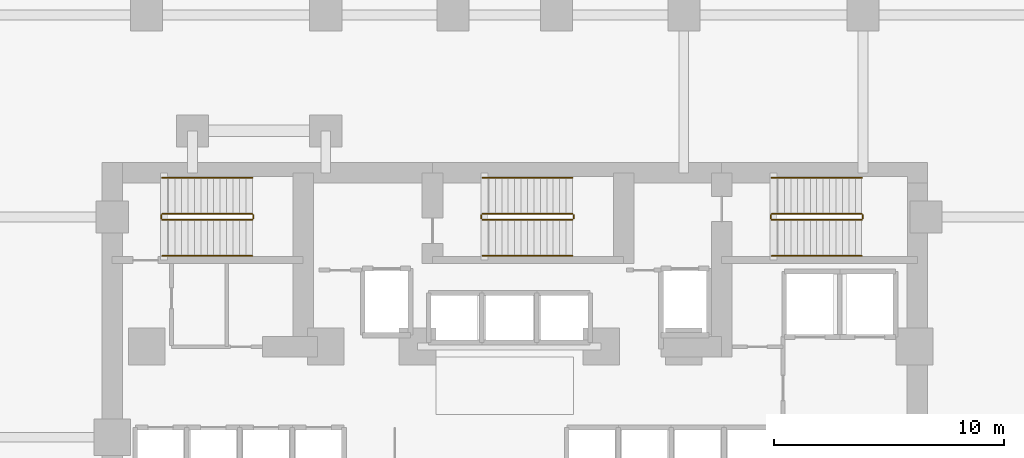
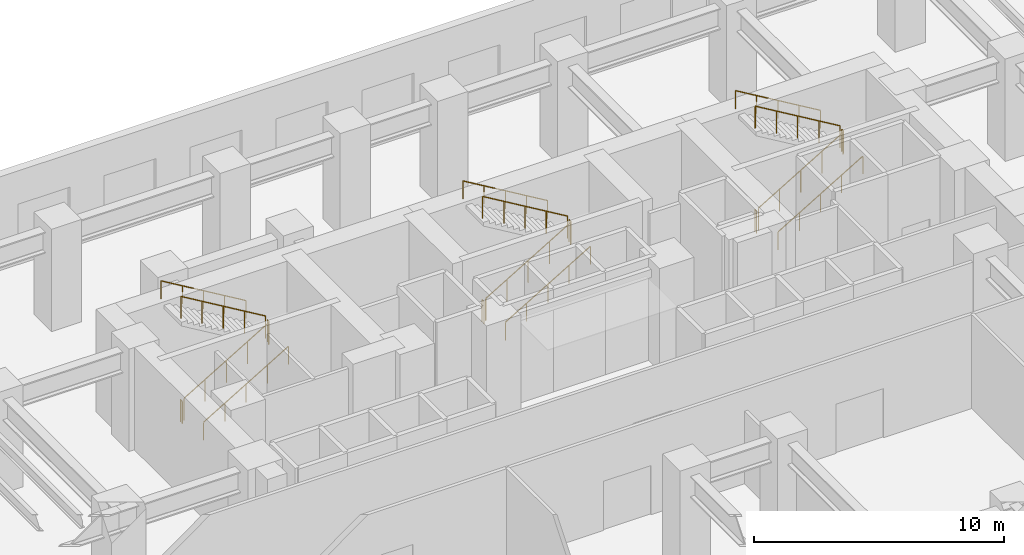
# One storey, part 20 of 20: 18 railings.
"""IFC4 building model written with IfcOpenShell, lengths in metres."""

from ifc_helpers import new_model, si_unit, direction, frame, origin, origin_2d, place, context, subcontext, project, spatial, circle, extrude, material, type_object, element, save


model = new_model("IFC4")

# Units and contexts
model_context = context("Model", 3, precision=1e-05, world=origin(), true_north=direction((0.0, 1.0)))
body_context = subcontext(model_context, "Body", "Model", "MODEL_VIEW")
ifc_project = project(units=[si_unit("LENGTHUNIT", "METRE"), si_unit("AREAUNIT", "SQUARE_METRE"), si_unit("VOLUMEUNIT", "CUBIC_METRE"), si_unit("PLANEANGLEUNIT", "RADIAN"), si_unit("MASSUNIT", "GRAM", prefix="KILO")], contexts=[model_context])

# Site, building, storey
site_placement = place(None, origin())
site = spatial("IfcSite", under=ifc_project, at=site_placement, CompositionType="ELEMENT")
building_placement = place(site_placement, origin())
building = spatial("IfcBuilding", under=site, at=building_placement, Name="Kestravale Grand Hotel", CompositionType="ELEMENT")
storey_placement = place(building_placement, frame((0.0, 0.0, 15.800048828125)))
storey = spatial("IfcBuildingStorey", under=building, at=storey_placement, Name="L03", CompositionType="ELEMENT", Elevation=15.800048828125)

# Railings
ifc_material_1 = material(Name="Painted tubular steel stair well guard", Category="steel")
railing_type_1 = type_object("IfcRailingType", Name="RL-ST-GRD1100", PredefinedType="GUARDRAIL", material=ifc_material_1)
railing_1_placement = place(storey_placement, frame((24.080078125, 38.280029296875, 0.16650390625)))
element("IfcRailing", 1, at=railing_1_placement, inside=storey, type_object=railing_type_1, Name="L03 ST-1 stair guard 1", PredefinedType="GUARDRAIL", context=body_context, shape_type="SweptSolid", body=[
    extrude(circle(Radius=0.02392578125, at=origin_2d()), frame((0.0, 0.0, 1.076171875), z_axis=(0.859272722373, 0.0, 0.511517730471), x_axis=(0.0, 1.0, 0.0)), (0.0, 0.0, 1.0), 4.56201171875),
    extrude(circle(Radius=0.02099609375, at=origin_2d()), origin(), (0.0, 0.0, 1.0), 1.052001953125),
    extrude(circle(Radius=0.02099609375, at=origin_2d()), frame((0.97998046875, 0.0, 0.58349609375)), (0.0, 0.0, 1.0), 1.052001953125),
    extrude(circle(Radius=0.02099609375, at=origin_2d()), frame((1.9599609375, 0.0, 1.166748046875)), (0.0, 0.0, 1.0), 1.052001953125),
    extrude(circle(Radius=0.02099609375, at=origin_2d()), frame((2.93994140625, 0.0, 1.75)), (0.0, 0.0, 1.0), 1.052001953125),
    extrude(circle(Radius=0.02099609375, at=origin_2d()), frame((3.919921875, 0.0, 2.33349609375)), (0.0, 0.0, 1.0), 1.052001953125),
])
railing_2_placement = place(storey_placement, frame((28.050048828125, 38.330078125, 2.5)))
element("IfcRailing", 2, at=railing_2_placement, inside=storey, type_object=railing_type_1, Name="L03 ST-1 stair guard 2", PredefinedType="GUARDRAIL", context=body_context, shape_type="SweptSolid", body=[
    extrude(circle(Radius=0.02392578125, at=origin_2d()), frame((0.0, 0.0, 1.076171875), z_axis=(0.0, 1.0, 0.0), x_axis=(-1.0, 0.0, 0.0)), (0.0, 0.0, 1.0), 0.14990234375),
    extrude(circle(Radius=0.02099609375, at=origin_2d()), origin(), (0.0, 0.0, 1.0), 1.052001953125),
    extrude(circle(Radius=0.02099609375, at=origin_2d()), frame((0.0, 0.14990234375, 0.0)), (0.0, 0.0, 1.0), 1.052001953125),
])
railing_3_placement = place(storey_placement, frame((28.0, 38.530029296875, 2.66650390625)))
element("IfcRailing", 3, at=railing_3_placement, inside=storey, type_object=railing_type_1, Name="L03 ST-1 stair guard 3", PredefinedType="GUARDRAIL", context=body_context, shape_type="SweptSolid", body=[
    extrude(circle(Radius=0.02392578125, at=origin_2d()), frame((0.0, 0.0, 1.076171875), z_axis=(-0.859272722373, 0.0, 0.511517730471), x_axis=(0.0, -1.0, 0.0)), (0.0, 0.0, 1.0), 4.56201171875),
    extrude(circle(Radius=0.02099609375, at=origin_2d()), origin(), (0.0, 0.0, 1.0), 1.052001953125),
    extrude(circle(Radius=0.02099609375, at=origin_2d()), frame((-0.97998046875, 0.0, 0.58349609375)), (0.0, 0.0, 1.0), 1.052001953125),
    extrude(circle(Radius=0.02099609375, at=origin_2d()), frame((-1.9599609375, 0.0, 1.166748046875)), (0.0, 0.0, 1.0), 1.052001953125),
    extrude(circle(Radius=0.02099609375, at=origin_2d()), frame((-2.93994140625, 0.0, 1.75)), (0.0, 0.0, 1.0), 1.052001953125),
    extrude(circle(Radius=0.02099609375, at=origin_2d()), frame((-3.919921875, 0.0, 2.33349609375)), (0.0, 0.0, 1.0), 1.052001953125),
])
railing_4_placement = place(storey_placement, frame((24.030029296875, 38.330078125, 0.0)))
element("IfcRailing", 4, at=railing_4_placement, inside=storey, type_object=railing_type_1, Name="L03 ST-1 stair guard 4", PredefinedType="GUARDRAIL", context=body_context, shape_type="SweptSolid", body=[
    extrude(circle(Radius=0.02392578125, at=origin_2d()), frame((0.0, 0.0, 1.076171875), z_axis=(0.0, 1.0, 0.0), x_axis=(-1.0, 0.0, 0.0)), (0.0, 0.0, 1.0), 0.14990234375),
    extrude(circle(Radius=0.02099609375, at=origin_2d()), origin(), (0.0, 0.0, 1.0), 1.052001953125),
    extrude(circle(Radius=0.02099609375, at=origin_2d()), frame((0.0, 0.14990234375, 0.0)), (0.0, 0.0, 1.0), 1.052001953125),
])
railing_5_placement = place(storey_placement, frame((38.030029296875, 38.280029296875, 0.16650390625)))
element("IfcRailing", 5, at=railing_5_placement, inside=storey, type_object=railing_type_1, Name="L03 ST-2 stair guard 1", PredefinedType="GUARDRAIL", context=body_context, shape_type="SweptSolid", body=[
    extrude(circle(Radius=0.02392578125, at=origin_2d()), frame((0.0, 0.0, 1.076171875), z_axis=(0.859272722373, 0.0, 0.511517730471), x_axis=(0.0, 1.0, 0.0)), (0.0, 0.0, 1.0), 4.56201171875),
    extrude(circle(Radius=0.02099609375, at=origin_2d()), origin(), (0.0, 0.0, 1.0), 1.052001953125),
    extrude(circle(Radius=0.02099609375, at=origin_2d()), frame((0.97998046875, 0.0, 0.58349609375)), (0.0, 0.0, 1.0), 1.052001953125),
    extrude(circle(Radius=0.02099609375, at=origin_2d()), frame((1.9599609375, 0.0, 1.166748046875)), (0.0, 0.0, 1.0), 1.052001953125),
    extrude(circle(Radius=0.02099609375, at=origin_2d()), frame((2.93994140625, 0.0, 1.75)), (0.0, 0.0, 1.0), 1.052001953125),
    extrude(circle(Radius=0.02099609375, at=origin_2d()), frame((3.919921875, 0.0, 2.33349609375)), (0.0, 0.0, 1.0), 1.052001953125),
])
railing_6_placement = place(storey_placement, frame((42.0, 38.330078125, 2.5)))
element("IfcRailing", 6, at=railing_6_placement, inside=storey, type_object=railing_type_1, Name="L03 ST-2 stair guard 2", PredefinedType="GUARDRAIL", context=body_context, shape_type="SweptSolid", body=[
    extrude(circle(Radius=0.02392578125, at=origin_2d()), frame((0.0, 0.0, 1.076171875), z_axis=(0.0, 1.0, 0.0), x_axis=(-1.0, 0.0, 0.0)), (0.0, 0.0, 1.0), 0.14990234375),
    extrude(circle(Radius=0.02099609375, at=origin_2d()), origin(), (0.0, 0.0, 1.0), 1.052001953125),
    extrude(circle(Radius=0.02099609375, at=origin_2d()), frame((0.0, 0.14990234375, 0.0)), (0.0, 0.0, 1.0), 1.052001953125),
])
railing_7_placement = place(storey_placement, frame((41.949951171875, 38.530029296875, 2.66650390625)))
element("IfcRailing", 7, at=railing_7_placement, inside=storey, type_object=railing_type_1, Name="L03 ST-2 stair guard 3", PredefinedType="GUARDRAIL", context=body_context, shape_type="SweptSolid", body=[
    extrude(circle(Radius=0.02392578125, at=origin_2d()), frame((0.0, 0.0, 1.076171875), z_axis=(-0.859272722373, 0.0, 0.511517730471), x_axis=(0.0, -1.0, 0.0)), (0.0, 0.0, 1.0), 4.56201171875),
    extrude(circle(Radius=0.02099609375, at=origin_2d()), origin(), (0.0, 0.0, 1.0), 1.052001953125),
    extrude(circle(Radius=0.02099609375, at=origin_2d()), frame((-0.97998046875, 0.0, 0.58349609375)), (0.0, 0.0, 1.0), 1.052001953125),
    extrude(circle(Radius=0.02099609375, at=origin_2d()), frame((-1.9599609375, 0.0, 1.166748046875)), (0.0, 0.0, 1.0), 1.052001953125),
    extrude(circle(Radius=0.02099609375, at=origin_2d()), frame((-2.93994140625, 0.0, 1.75)), (0.0, 0.0, 1.0), 1.052001953125),
    extrude(circle(Radius=0.02099609375, at=origin_2d()), frame((-3.919921875, 0.0, 2.33349609375)), (0.0, 0.0, 1.0), 1.052001953125),
])
railing_8_placement = place(storey_placement, frame((37.97998046875, 38.330078125, 0.0)))
element("IfcRailing", 8, at=railing_8_placement, inside=storey, type_object=railing_type_1, Name="L03 ST-2 stair guard 4", PredefinedType="GUARDRAIL", context=body_context, shape_type="SweptSolid", body=[
    extrude(circle(Radius=0.02392578125, at=origin_2d()), frame((0.0, 0.0, 1.076171875), z_axis=(0.0, 1.0, 0.0), x_axis=(-1.0, 0.0, 0.0)), (0.0, 0.0, 1.0), 0.14990234375),
    extrude(circle(Radius=0.02099609375, at=origin_2d()), origin(), (0.0, 0.0, 1.0), 1.052001953125),
    extrude(circle(Radius=0.02099609375, at=origin_2d()), frame((0.0, 0.14990234375, 0.0)), (0.0, 0.0, 1.0), 1.052001953125),
])
railing_9_placement = place(storey_placement, frame((50.6298828125, 38.280029296875, 0.16650390625)))
element("IfcRailing", 9, at=railing_9_placement, inside=storey, type_object=railing_type_1, Name="L03 ST-3 stair guard 1", PredefinedType="GUARDRAIL", context=body_context, shape_type="SweptSolid", body=[
    extrude(circle(Radius=0.02392578125, at=origin_2d()), frame((0.0, 0.0, 1.076171875), z_axis=(0.859286724212, 0.0, 0.511494208758), x_axis=(0.0, 1.0, 0.0)), (0.0, 0.0, 1.0), 4.56201171875),
    extrude(circle(Radius=0.02099609375, at=origin_2d()), origin(), (0.0, 0.0, 1.0), 1.052001953125),
    extrude(circle(Radius=0.02099609375, at=origin_2d()), frame((0.97998046875, 0.0, 0.58349609375)), (0.0, 0.0, 1.0), 1.052001953125),
    extrude(circle(Radius=0.02099609375, at=origin_2d()), frame((1.9599609375, 0.0, 1.166748046875)), (0.0, 0.0, 1.0), 1.052001953125),
    extrude(circle(Radius=0.02099609375, at=origin_2d()), frame((2.940185546875, 0.0, 1.75)), (0.0, 0.0, 1.0), 1.052001953125),
    extrude(circle(Radius=0.02099609375, at=origin_2d()), frame((3.920166015625, 0.0, 2.33349609375)), (0.0, 0.0, 1.0), 1.052001953125),
])
railing_10_placement = place(storey_placement, frame((54.60009765625, 38.330078125, 2.5)))
element("IfcRailing", 10, at=railing_10_placement, inside=storey, type_object=railing_type_1, Name="L03 ST-3 stair guard 2", PredefinedType="GUARDRAIL", context=body_context, shape_type="SweptSolid", body=[
    extrude(circle(Radius=0.02392578125, at=origin_2d()), frame((0.0, 0.0, 1.076171875), z_axis=(0.0, 1.0, 0.0), x_axis=(-1.0, 0.0, 0.0)), (0.0, 0.0, 1.0), 0.14990234375),
    extrude(circle(Radius=0.02099609375, at=origin_2d()), origin(), (0.0, 0.0, 1.0), 1.052001953125),
    extrude(circle(Radius=0.02099609375, at=origin_2d()), frame((0.0, 0.14990234375, 0.0)), (0.0, 0.0, 1.0), 1.052001953125),
])
railing_11_placement = place(storey_placement, frame((54.550048828125, 38.530029296875, 2.66650390625)))
element("IfcRailing", 11, at=railing_11_placement, inside=storey, type_object=railing_type_1, Name="L03 ST-3 stair guard 3", PredefinedType="GUARDRAIL", context=body_context, shape_type="SweptSolid", body=[
    extrude(circle(Radius=0.02392578125, at=origin_2d()), frame((0.0, 0.0, 1.076171875), z_axis=(-0.859286724212, 0.0, 0.511494208758), x_axis=(0.0, -1.0, 0.0)), (0.0, 0.0, 1.0), 4.56201171875),
    extrude(circle(Radius=0.02099609375, at=origin_2d()), origin(), (0.0, 0.0, 1.0), 1.052001953125),
    extrude(circle(Radius=0.02099609375, at=origin_2d()), frame((-0.97998046875, 0.0, 0.58349609375)), (0.0, 0.0, 1.0), 1.052001953125),
    extrude(circle(Radius=0.02099609375, at=origin_2d()), frame((-1.9599609375, 0.0, 1.166748046875)), (0.0, 0.0, 1.0), 1.052001953125),
    extrude(circle(Radius=0.02099609375, at=origin_2d()), frame((-2.940185546875, 0.0, 1.75)), (0.0, 0.0, 1.0), 1.052001953125),
    extrude(circle(Radius=0.02099609375, at=origin_2d()), frame((-3.920166015625, 0.0, 2.33349609375)), (0.0, 0.0, 1.0), 1.052001953125),
])
railing_12_placement = place(storey_placement, frame((50.580078125, 38.330078125, 0.0)))
element("IfcRailing", 12, at=railing_12_placement, inside=storey, type_object=railing_type_1, Name="L03 ST-3 stair guard 4", PredefinedType="GUARDRAIL", context=body_context, shape_type="SweptSolid", body=[
    extrude(circle(Radius=0.02392578125, at=origin_2d()), frame((0.0, 0.0, 1.076171875), z_axis=(0.0, 1.0, 0.0), x_axis=(-1.0, 0.0, 0.0)), (0.0, 0.0, 1.0), 0.14990234375),
    extrude(circle(Radius=0.02099609375, at=origin_2d()), origin(), (0.0, 0.0, 1.0), 1.052001953125),
    extrude(circle(Radius=0.02099609375, at=origin_2d()), frame((0.0, 0.14990234375, 0.0)), (0.0, 0.0, 1.0), 1.052001953125),
])
ifc_material_2 = material(Name="Brushed stainless steel wall handrail", Category="steel")
railing_type_2 = type_object("IfcRailingType", Name="RL-ST-HND900", PredefinedType="HANDRAIL", material=ifc_material_2)
railing_13_placement = place(storey_placement, frame((24.080078125, 36.699951171875, 0.16650390625)))
element("IfcRailing", 13, at=railing_13_placement, inside=storey, type_object=railing_type_2, Name="L03 ST-1 stair handrail 1", PredefinedType="HANDRAIL", context=body_context, shape_type="SweptSolid", body=[
    extrude(circle(Radius=0.02392578125, at=origin_2d()), frame((0.0, 0.0, 0.8759765625), z_axis=(0.859272722373, 0.0, 0.511517730471), x_axis=(0.0, 1.0, 0.0)), (0.0, 0.0, 1.0), 4.56201171875),
    extrude(circle(Radius=0.02099609375, at=origin_2d()), origin(), (0.0, 0.0, 1.0), 0.851806640625),
    extrude(circle(Radius=0.02099609375, at=origin_2d()), frame((0.97998046875, 0.0, 0.58349609375)), (0.0, 0.0, 1.0), 0.851806640625),
    extrude(circle(Radius=0.02099609375, at=origin_2d()), frame((1.9599609375, 0.0, 1.166748046875)), (0.0, 0.0, 1.0), 0.851806640625),
    extrude(circle(Radius=0.02099609375, at=origin_2d()), frame((2.93994140625, 0.0, 1.75)), (0.0, 0.0, 1.0), 0.851806640625),
    extrude(circle(Radius=0.02099609375, at=origin_2d()), frame((3.919921875, 0.0, 2.33349609375)), (0.0, 0.0, 1.0), 0.851806640625),
])
railing_14_placement = place(storey_placement, frame((28.0, 40.110107421875, 2.66650390625)))
element("IfcRailing", 14, at=railing_14_placement, inside=storey, type_object=railing_type_2, Name="L03 ST-1 stair handrail 2", PredefinedType="HANDRAIL", context=body_context, shape_type="SweptSolid", body=[
    extrude(circle(Radius=0.02392578125, at=origin_2d()), frame((0.0, 0.0, 0.8759765625), z_axis=(-0.859272722373, 0.0, 0.511517730471), x_axis=(0.0, -1.0, 0.0)), (0.0, 0.0, 1.0), 4.56201171875),
    extrude(circle(Radius=0.02099609375, at=origin_2d()), origin(), (0.0, 0.0, 1.0), 0.851806640625),
    extrude(circle(Radius=0.02099609375, at=origin_2d()), frame((-0.97998046875, 0.0, 0.58349609375)), (0.0, 0.0, 1.0), 0.851806640625),
    extrude(circle(Radius=0.02099609375, at=origin_2d()), frame((-1.9599609375, 0.0, 1.166748046875)), (0.0, 0.0, 1.0), 0.851806640625),
    extrude(circle(Radius=0.02099609375, at=origin_2d()), frame((-2.93994140625, 0.0, 1.75)), (0.0, 0.0, 1.0), 0.851806640625),
    extrude(circle(Radius=0.02099609375, at=origin_2d()), frame((-3.919921875, 0.0, 2.33349609375)), (0.0, 0.0, 1.0), 0.851806640625),
])
railing_15_placement = place(storey_placement, frame((38.030029296875, 36.699951171875, 0.16650390625)))
element("IfcRailing", 15, at=railing_15_placement, inside=storey, type_object=railing_type_2, Name="L03 ST-2 stair handrail 1", PredefinedType="HANDRAIL", context=body_context, shape_type="SweptSolid", body=[
    extrude(circle(Radius=0.02392578125, at=origin_2d()), frame((0.0, 0.0, 0.8759765625), z_axis=(0.859272722373, 0.0, 0.511517730471), x_axis=(0.0, 1.0, 0.0)), (0.0, 0.0, 1.0), 4.56201171875),
    extrude(circle(Radius=0.02099609375, at=origin_2d()), origin(), (0.0, 0.0, 1.0), 0.851806640625),
    extrude(circle(Radius=0.02099609375, at=origin_2d()), frame((0.97998046875, 0.0, 0.58349609375)), (0.0, 0.0, 1.0), 0.851806640625),
    extrude(circle(Radius=0.02099609375, at=origin_2d()), frame((1.9599609375, 0.0, 1.166748046875)), (0.0, 0.0, 1.0), 0.851806640625),
    extrude(circle(Radius=0.02099609375, at=origin_2d()), frame((2.93994140625, 0.0, 1.75)), (0.0, 0.0, 1.0), 0.851806640625),
    extrude(circle(Radius=0.02099609375, at=origin_2d()), frame((3.919921875, 0.0, 2.33349609375)), (0.0, 0.0, 1.0), 0.851806640625),
])
railing_16_placement = place(storey_placement, frame((41.949951171875, 40.110107421875, 2.66650390625)))
element("IfcRailing", 16, at=railing_16_placement, inside=storey, type_object=railing_type_2, Name="L03 ST-2 stair handrail 2", PredefinedType="HANDRAIL", context=body_context, shape_type="SweptSolid", body=[
    extrude(circle(Radius=0.02392578125, at=origin_2d()), frame((0.0, 0.0, 0.8759765625), z_axis=(-0.859272722373, 0.0, 0.511517730471), x_axis=(0.0, -1.0, 0.0)), (0.0, 0.0, 1.0), 4.56201171875),
    extrude(circle(Radius=0.02099609375, at=origin_2d()), origin(), (0.0, 0.0, 1.0), 0.851806640625),
    extrude(circle(Radius=0.02099609375, at=origin_2d()), frame((-0.97998046875, 0.0, 0.58349609375)), (0.0, 0.0, 1.0), 0.851806640625),
    extrude(circle(Radius=0.02099609375, at=origin_2d()), frame((-1.9599609375, 0.0, 1.166748046875)), (0.0, 0.0, 1.0), 0.851806640625),
    extrude(circle(Radius=0.02099609375, at=origin_2d()), frame((-2.93994140625, 0.0, 1.75)), (0.0, 0.0, 1.0), 0.851806640625),
    extrude(circle(Radius=0.02099609375, at=origin_2d()), frame((-3.919921875, 0.0, 2.33349609375)), (0.0, 0.0, 1.0), 0.851806640625),
])
railing_17_placement = place(storey_placement, frame((50.6298828125, 36.699951171875, 0.16650390625)))
element("IfcRailing", 17, at=railing_17_placement, inside=storey, type_object=railing_type_2, Name="L03 ST-3 stair handrail 1", PredefinedType="HANDRAIL", context=body_context, shape_type="SweptSolid", body=[
    extrude(circle(Radius=0.02392578125, at=origin_2d()), frame((0.0, 0.0, 0.8759765625), z_axis=(0.859286724212, 0.0, 0.511494208758), x_axis=(0.0, 1.0, 0.0)), (0.0, 0.0, 1.0), 4.56201171875),
    extrude(circle(Radius=0.02099609375, at=origin_2d()), origin(), (0.0, 0.0, 1.0), 0.851806640625),
    extrude(circle(Radius=0.02099609375, at=origin_2d()), frame((0.97998046875, 0.0, 0.58349609375)), (0.0, 0.0, 1.0), 0.851806640625),
    extrude(circle(Radius=0.02099609375, at=origin_2d()), frame((1.9599609375, 0.0, 1.166748046875)), (0.0, 0.0, 1.0), 0.851806640625),
    extrude(circle(Radius=0.02099609375, at=origin_2d()), frame((2.940185546875, 0.0, 1.75)), (0.0, 0.0, 1.0), 0.851806640625),
    extrude(circle(Radius=0.02099609375, at=origin_2d()), frame((3.920166015625, 0.0, 2.33349609375)), (0.0, 0.0, 1.0), 0.851806640625),
])
railing_18_placement = place(storey_placement, frame((54.550048828125, 40.110107421875, 2.66650390625)))
element("IfcRailing", 18, at=railing_18_placement, inside=storey, type_object=railing_type_2, Name="L03 ST-3 stair handrail 2", PredefinedType="HANDRAIL", context=body_context, shape_type="SweptSolid", body=[
    extrude(circle(Radius=0.02392578125, at=origin_2d()), frame((0.0, 0.0, 0.8759765625), z_axis=(-0.859286724212, 0.0, 0.511494208758), x_axis=(0.0, -1.0, 0.0)), (0.0, 0.0, 1.0), 4.56201171875),
    extrude(circle(Radius=0.02099609375, at=origin_2d()), origin(), (0.0, 0.0, 1.0), 0.851806640625),
    extrude(circle(Radius=0.02099609375, at=origin_2d()), frame((-0.97998046875, 0.0, 0.58349609375)), (0.0, 0.0, 1.0), 0.851806640625),
    extrude(circle(Radius=0.02099609375, at=origin_2d()), frame((-1.9599609375, 0.0, 1.166748046875)), (0.0, 0.0, 1.0), 0.851806640625),
    extrude(circle(Radius=0.02099609375, at=origin_2d()), frame((-2.940185546875, 0.0, 1.75)), (0.0, 0.0, 1.0), 0.851806640625),
    extrude(circle(Radius=0.02099609375, at=origin_2d()), frame((-3.920166015625, 0.0, 2.33349609375)), (0.0, 0.0, 1.0), 0.851806640625),
])

save(model, "model.ifc")
